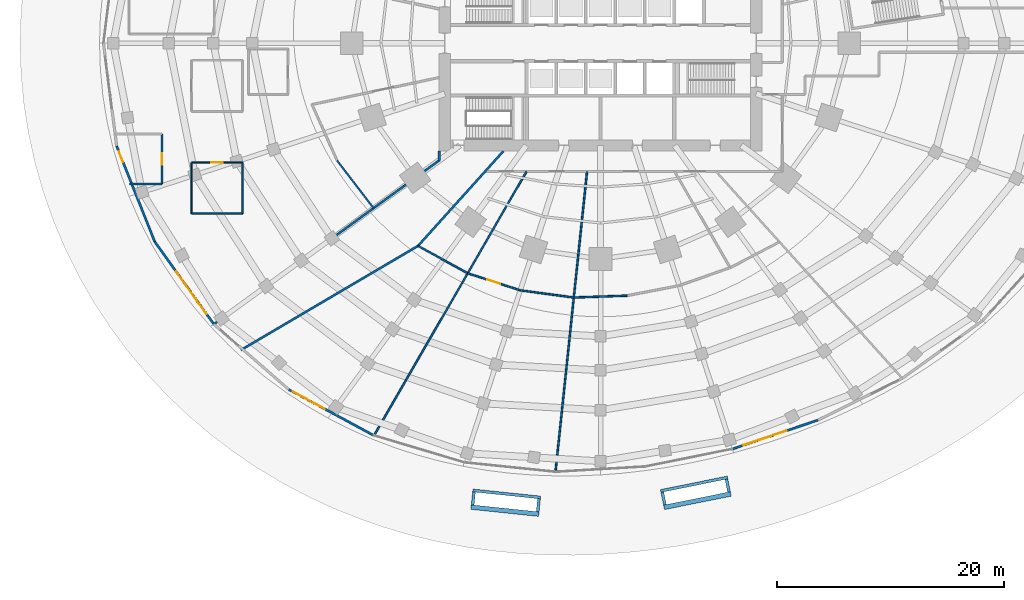
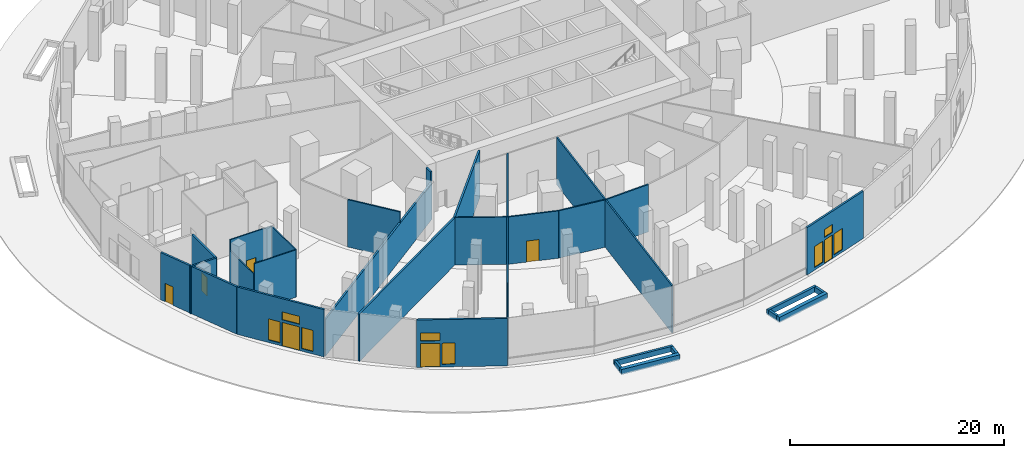
# One storey, part 14 of 23: 29 walls, 8 windows, 7 doors, 15 openings.
"""IFC4 building model written with IfcOpenShell, lengths in metres."""

from ifc_helpers import new_model, si_unit, direction, frame, frame_2d, origin, place, context, subcontext, project, spatial, rectangle, extrude, material, layer, layer_set, type_object, element, fill, save


model = new_model("IFC4")

# Units and contexts
model_context = context("Model", 3, precision=1e-05, world=origin(), true_north=direction((0.0, 1.0)))
body_context = subcontext(model_context, "Body", "Model", "MODEL_VIEW")
ifc_project = project(units=[si_unit("LENGTHUNIT", "METRE"), si_unit("AREAUNIT", "SQUARE_METRE"), si_unit("VOLUMEUNIT", "CUBIC_METRE"), si_unit("PLANEANGLEUNIT", "RADIAN"), si_unit("MASSUNIT", "GRAM", prefix="KILO")], contexts=[model_context])

# Site, building, storey
site_placement = place(None, origin())
site = spatial("IfcSite", under=ifc_project, at=site_placement, CompositionType="ELEMENT")
building_placement = place(site_placement, origin())
building = spatial("IfcBuilding", under=site, at=building_placement, Name="Marramba Exchange Tower", CompositionType="ELEMENT")
storey_placement = place(building_placement, origin())
storey = spatial("IfcBuildingStorey", under=building, at=storey_placement, Name="L00", CompositionType="ELEMENT", Elevation=0.0)

# Wall, opening, door
ifc_material_1 = material(Name="Aluminium-framed bronze cladding on steel studs", Category="steel")
ifc_layer_1 = layer(ifc_material_1, 0.199951171875)
ifc_layer_set_1 = layer_set([ifc_layer_1], Name="Door screen wall 200")
wall_type_1 = type_object("IfcWallType", Name="Door screen wall 200", PredefinedType="SOLIDWALL", material=ifc_layer_set_1)
wall_1_placement = place(storey_placement, frame((-42.59033203125, -9.052734375, 0.0), z_axis=(0.0, 0.0, 1.0), x_axis=(0.369754749145, -0.929129391143, 0.0)))
wall_1 = element("IfcWall", 1, at=wall_1_placement, inside=storey, type_object=wall_type_1, Name="Door screen L00 F17", PredefinedType="SOLIDWALL", context=body_context, shape_type="SweptSolid", body=[
    extrude(rectangle(XDim=9.060302734375, YDim=0.199951171875, at=frame_2d((4.5302734375, 0.0))), origin(), (0.0, 0.0, 1.0), 5.39990234375),
])
opening_1_placement = place(wall_1_placement, frame((0.500732421875, 0.0, 0.0)))
opening_1 = element("IfcOpeningElement", 2, at=opening_1_placement, cuts=wall_1, Name="Opening D20", PredefinedType="OPENING", context=body_context, shape_type="SweptSolid", body=[
    extrude(rectangle(XDim=1.0, YDim=2.10009765625, at=frame_2d((0.5, 1.050048828125))), frame((0.0, 0.10986328125, 0.0), z_axis=(0.0, -1.0, 0.0), x_axis=(1.0, 0.0, 0.0)), (0.0, 0.0, 1.0), 0.219970703125),
])
ifc_material_2 = material(Name="Steel-framed door", Category="steel")
door_type_1 = type_object("IfcDoorType", Name="Fire control room street door 1000x2100", OperationType="SINGLE_SWING_LEFT", PredefinedType="DOOR", material=ifc_material_2)
door_1_placement = place(opening_1_placement, frame((1.0, 0.0, 0.0), z_axis=(0.0, 0.0, 1.0), x_axis=(-1.0, 0.0, 0.0)))
door_1 = element("IfcDoor", 3, at=door_1_placement, inside=storey, type_object=door_type_1, Name="D20 L00", OperationType="SINGLE_SWING_RIGHT", OverallHeight=2.10009765625, OverallWidth=1.0, PredefinedType="DOOR", context=body_context, shape_type="SweptSolid", body=[
    extrude(rectangle(XDim=1.0, YDim=2.10009765625, at=frame_2d((0.5, 1.050048828125))), frame((0.0, 0.025146484375, 0.0), z_axis=(0.0, -1.0, 0.0), x_axis=(1.0, 0.0, 0.0)), (0.0, 0.0, 1.0), 0.050048828125),
])
fill(opening_1, door_1)

# Wall, openings, windows, door
wall_2_placement = place(storey_placement, frame((-39.240234375, -17.470947265625, 0.0), z_axis=(0.0, 0.0, 1.0), x_axis=(0.582334103946, -0.81294956263, 0.0)))
wall_2 = element("IfcWall", 4, at=wall_2_placement, inside=storey, type_object=wall_type_1, Name="Door screen L00 F18", PredefinedType="SOLIDWALL", context=body_context, shape_type="SweptSolid", body=[
    extrude(rectangle(XDim=8.9306640625, YDim=0.199951171875, at=frame_2d((4.46533203125, 0.0))), origin(), (0.0, 0.0, 1.0), 5.39990234375),
])
opening_2_placement = place(wall_2_placement, frame((4.62060546875, 0.0, 0.0)))
opening_2 = element("IfcOpeningElement", 5, at=opening_2_placement, cuts=wall_2, Name="Opening D7", PredefinedType="OPENING", context=body_context, shape_type="SweptSolid", body=[
    extrude(rectangle(XDim=1.800048828125, YDim=2.699951171875, at=frame_2d((0.89990234375, 1.35009765625))), frame((0.0, 0.10986328125, 0.0), z_axis=(0.0, -1.0, 0.0), x_axis=(1.0, 0.0, 0.0)), (0.0, 0.0, 1.0), 0.219970703125),
])
opening_3_placement = place(wall_2_placement, frame((3.220458984375, 0.0, 0.300048828125)))
opening_3 = element("IfcOpeningElement", 6, at=opening_3_placement, cuts=wall_2, Name="Opening W1", PredefinedType="OPENING", context=body_context, shape_type="SweptSolid", body=[
    extrude(rectangle(XDim=1.199951171875, YDim=2.39990234375, at=frame_2d((0.60009765625, 1.199951171875))), frame((0.0, 0.10986328125, 0.0), z_axis=(0.0, -1.0, 0.0), x_axis=(1.0, 0.0, 0.0)), (0.0, 0.0, 1.0), 0.219970703125),
])
opening_4_placement = place(wall_2_placement, frame((6.62060546875, 0.0, 0.300048828125)))
opening_4 = element("IfcOpeningElement", 7, at=opening_4_placement, cuts=wall_2, Name="Opening W1", PredefinedType="OPENING", context=body_context, shape_type="SweptSolid", body=[
    extrude(rectangle(XDim=1.199951171875, YDim=2.39990234375, at=frame_2d((0.60009765625, 1.199951171875))), frame((0.0, 0.10986328125, 0.0), z_axis=(0.0, -1.0, 0.0), x_axis=(1.0, 0.0, 0.0)), (0.0, 0.0, 1.0), 0.219970703125),
])
opening_5_placement = place(wall_2_placement, frame((4.62060546875, 0.0, 3.0)))
opening_5 = element("IfcOpeningElement", 8, at=opening_5_placement, cuts=wall_2, Name="Opening W2", PredefinedType="OPENING", context=body_context, shape_type="SweptSolid", body=[
    extrude(rectangle(XDim=1.800048828125, YDim=0.89990234375, at=frame_2d((0.89990234375, 0.449951171875))), frame((0.0, 0.10986328125, 0.0), z_axis=(0.0, -1.0, 0.0), x_axis=(1.0, 0.0, 0.0)), (0.0, 0.0, 1.0), 0.219970703125),
])
ifc_material_3 = material(Name="Aluminium-framed fixed light, bronze, double glazed", Category="aluminium")
window_type_1 = type_object("IfcWindowType", Name="Entrance sidelight 1200x2400", PartitioningType="SINGLE_PANEL", PredefinedType="WINDOW", material=ifc_material_3)
window_1_placement = place(opening_3_placement, origin())
window_1 = element("IfcWindow", 9, at=window_1_placement, inside=storey, type_object=window_type_1, Name="W1 L00 F18 left", OverallHeight=2.39990234375, OverallWidth=1.199951171875, PartitioningType="SINGLE_PANEL", PredefinedType="WINDOW", context=body_context, shape_type="SweptSolid", body=[
    extrude(rectangle(XDim=1.199951171875, YDim=2.39990234375, at=frame_2d((0.60009765625, 1.199951171875))), frame((0.0, 0.030029296875, 0.0), z_axis=(0.0, -1.0, 0.0), x_axis=(1.0, 0.0, 0.0)), (0.0, 0.0, 1.0), 0.06005859375),
])
fill(opening_3, window_1)
window_2_placement = place(opening_4_placement, origin())
window_2 = element("IfcWindow", 10, at=window_2_placement, inside=storey, type_object=window_type_1, Name="W1 L00 F18 right", OverallHeight=2.39990234375, OverallWidth=1.199951171875, PartitioningType="SINGLE_PANEL", PredefinedType="WINDOW", context=body_context, shape_type="SweptSolid", body=[
    extrude(rectangle(XDim=1.199951171875, YDim=2.39990234375, at=frame_2d((0.60009765625, 1.199951171875))), frame((0.0, 0.030029296875, 0.0), z_axis=(0.0, -1.0, 0.0), x_axis=(1.0, 0.0, 0.0)), (0.0, 0.0, 1.0), 0.06005859375),
])
fill(opening_4, window_2)
window_type_2 = type_object("IfcWindowType", Name="Entrance transom light 1800x900", PartitioningType="SINGLE_PANEL", PredefinedType="WINDOW", material=ifc_material_3)
window_3_placement = place(opening_5_placement, origin())
window_3 = element("IfcWindow", 11, at=window_3_placement, inside=storey, type_object=window_type_2, Name="W2 L00 F18 over the door", OverallHeight=0.89990234375, OverallWidth=1.800048828125, PartitioningType="SINGLE_PANEL", PredefinedType="WINDOW", context=body_context, shape_type="SweptSolid", body=[
    extrude(rectangle(XDim=1.800048828125, YDim=0.89990234375, at=frame_2d((0.89990234375, 0.449951171875))), frame((0.0, 0.030029296875, 0.0), z_axis=(0.0, -1.0, 0.0), x_axis=(1.0, 0.0, 0.0)), (0.0, 0.0, 1.0), 0.06005859375),
])
fill(opening_5, window_3)
ifc_material_4 = material(Name="Aluminium-framed glazed door, bronze", Category="aluminium")
door_type_2 = type_object("IfcDoorType", Name="Main entrance door 1800x2700", OperationType="DOUBLE_DOOR_SINGLE_SWING", PredefinedType="DOOR", material=ifc_material_4)
door_2_placement = place(opening_2_placement, frame((1.800048828125, 0.0, 0.0), z_axis=(0.0, 0.0, 1.0), x_axis=(-1.0, 0.0, 0.0)))
door_2 = element("IfcDoor", 12, at=door_2_placement, inside=storey, type_object=door_type_2, Name="D7 L00", OperationType="DOUBLE_DOOR_SINGLE_SWING", OverallHeight=2.699951171875, OverallWidth=1.800048828125, PredefinedType="DOOR", context=body_context, shape_type="SweptSolid", body=[
    extrude(rectangle(XDim=1.800048828125, YDim=2.699951171875, at=frame_2d((0.900146484375, 1.35009765625))), frame((0.0, 0.025146484375, 0.0), z_axis=(0.0, -1.0, 0.0), x_axis=(1.0, 0.0, 0.0)), (0.0, 0.0, 1.0), 0.050048828125),
])
fill(opening_2, door_2)

wall_3_placement = place(storey_placement, frame((-27.443115234375, -30.478515625, 0.0), z_axis=(0.0, 0.0, 1.0), x_axis=(0.879579965321, -0.475751074204, 0.0)))
wall_3 = element("IfcWall", 13, at=wall_3_placement, inside=storey, type_object=wall_type_1, Name="Door screen L00 F20", PredefinedType="SOLIDWALL", context=body_context, shape_type="SweptSolid", body=[
    extrude(rectangle(XDim=8.530517578125, YDim=0.199951171875, at=frame_2d((4.26513671875, 0.0))), origin(), (0.0, 0.0, 1.0), 5.39990234375),
])
opening_6_placement = place(wall_3_placement, frame((0.39990234375, 0.0, 0.0)))
opening_6 = element("IfcOpeningElement", 14, at=opening_6_placement, cuts=wall_3, Name="Opening D7", PredefinedType="OPENING", context=body_context, shape_type="SweptSolid", body=[
    extrude(rectangle(XDim=1.800048828125, YDim=2.699951171875, at=frame_2d((0.89990234375, 1.35009765625))), frame((0.0, 0.10986328125, 0.0), z_axis=(0.0, -1.0, 0.0), x_axis=(1.0, 0.0, 0.0)), (0.0, 0.0, 1.0), 0.219970703125),
])
opening_7_placement = place(wall_3_placement, frame((2.39990234375, 0.0, 0.300048828125)))
opening_7 = element("IfcOpeningElement", 15, at=opening_7_placement, cuts=wall_3, Name="Opening W1", PredefinedType="OPENING", context=body_context, shape_type="SweptSolid", body=[
    extrude(rectangle(XDim=1.199951171875, YDim=2.39990234375, at=frame_2d((0.60009765625, 1.199951171875))), frame((0.0, 0.10986328125, 0.0), z_axis=(0.0, -1.0, 0.0), x_axis=(1.0, 0.0, 0.0)), (0.0, 0.0, 1.0), 0.219970703125),
])
opening_8_placement = place(wall_3_placement, frame((0.39990234375, 0.0, 3.0)))
opening_8 = element("IfcOpeningElement", 16, at=opening_8_placement, cuts=wall_3, Name="Opening W2", PredefinedType="OPENING", context=body_context, shape_type="SweptSolid", body=[
    extrude(rectangle(XDim=1.800048828125, YDim=0.89990234375, at=frame_2d((0.89990234375, 0.449951171875))), frame((0.0, 0.10986328125, 0.0), z_axis=(0.0, -1.0, 0.0), x_axis=(1.0, 0.0, 0.0)), (0.0, 0.0, 1.0), 0.219970703125),
])
window_4_placement = place(opening_7_placement, origin())
window_4 = element("IfcWindow", 17, at=window_4_placement, inside=storey, type_object=window_type_1, Name="W1 L00 F20 right", OverallHeight=2.39990234375, OverallWidth=1.199951171875, PartitioningType="SINGLE_PANEL", PredefinedType="WINDOW", context=body_context, shape_type="SweptSolid", body=[
    extrude(rectangle(XDim=1.199951171875, YDim=2.39990234375, at=frame_2d((0.60009765625, 1.199951171875))), frame((0.0, 0.030029296875, 0.0), z_axis=(0.0, -1.0, 0.0), x_axis=(1.0, 0.0, 0.0)), (0.0, 0.0, 1.0), 0.06005859375),
])
fill(opening_7, window_4)
window_5_placement = place(opening_8_placement, origin())
window_5 = element("IfcWindow", 18, at=window_5_placement, inside=storey, type_object=window_type_2, Name="W2 L00 F20 over the door", OverallHeight=0.89990234375, OverallWidth=1.800048828125, PartitioningType="SINGLE_PANEL", PredefinedType="WINDOW", context=body_context, shape_type="SweptSolid", body=[
    extrude(rectangle(XDim=1.800048828125, YDim=0.89990234375, at=frame_2d((0.89990234375, 0.449951171875))), frame((0.0, 0.030029296875, 0.0), z_axis=(0.0, -1.0, 0.0), x_axis=(1.0, 0.0, 0.0)), (0.0, 0.0, 1.0), 0.06005859375),
])
fill(opening_8, window_5)
door_3_placement = place(opening_6_placement, frame((1.800048828125, 0.0, 0.0), z_axis=(0.0, 0.0, 1.0), x_axis=(-1.0, 0.0, 0.0)))
door_3 = element("IfcDoor", 19, at=door_3_placement, inside=storey, type_object=door_type_2, Name="D7 L00", OperationType="DOUBLE_DOOR_SINGLE_SWING", OverallHeight=2.699951171875, OverallWidth=1.800048828125, PredefinedType="DOOR", context=body_context, shape_type="SweptSolid", body=[
    extrude(rectangle(XDim=1.800048828125, YDim=2.699951171875, at=frame_2d((0.900146484375, 1.35009765625))), frame((0.0, 0.025146484375, 0.0), z_axis=(0.0, -1.0, 0.0), x_axis=(1.0, 0.0, 0.0)), (0.0, 0.0, 1.0), 0.050048828125),
])
fill(opening_6, door_3)

wall_4_placement = place(storey_placement, frame((11.60595703125, -35.7197265625, 0.0), z_axis=(0.0, 0.0, 1.0), x_axis=(0.947384832905, 0.320096826572, 0.0)))
wall_4 = element("IfcWall", 20, at=wall_4_placement, inside=storey, type_object=wall_type_1, Name="Door screen L00 F25", PredefinedType="SOLIDWALL", context=body_context, shape_type="SweptSolid", body=[
    extrude(rectangle(XDim=7.964111328125, YDim=0.199951171875, at=frame_2d((3.98193359375, 0.0))), origin(), (0.0, 0.0, 1.0), 5.39990234375),
])
opening_9_placement = place(wall_4_placement, frame((2.421630859375, 0.0, 0.0)))
opening_9 = element("IfcOpeningElement", 21, at=opening_9_placement, cuts=wall_4, Name="Opening D10", PredefinedType="OPENING", context=body_context, shape_type="SweptSolid", body=[
    extrude(rectangle(XDim=1.199951171875, YDim=2.699951171875, at=frame_2d((0.60009765625, 1.35009765625))), frame((0.0, 0.10986328125, 0.0), z_axis=(0.0, -1.0, 0.0), x_axis=(1.0, 0.0, 0.0)), (0.0, 0.0, 1.0), 0.219970703125),
])
opening_10_placement = place(wall_4_placement, frame((1.021728515625, 0.0, 0.300048828125)))
opening_10 = element("IfcOpeningElement", 22, at=opening_10_placement, cuts=wall_4, Name="Opening W1", PredefinedType="OPENING", context=body_context, shape_type="SweptSolid", body=[
    extrude(rectangle(XDim=1.199951171875, YDim=2.39990234375, at=frame_2d((0.60009765625, 1.199951171875))), frame((0.0, 0.10986328125, 0.0), z_axis=(0.0, -1.0, 0.0), x_axis=(1.0, 0.0, 0.0)), (0.0, 0.0, 1.0), 0.219970703125),
])
opening_11_placement = place(wall_4_placement, frame((3.82177734375, 0.0, 0.300048828125)))
opening_11 = element("IfcOpeningElement", 23, at=opening_11_placement, cuts=wall_4, Name="Opening W1", PredefinedType="OPENING", context=body_context, shape_type="SweptSolid", body=[
    extrude(rectangle(XDim=1.199951171875, YDim=2.39990234375, at=frame_2d((0.60009765625, 1.199951171875))), frame((0.0, 0.10986328125, 0.0), z_axis=(0.0, -1.0, 0.0), x_axis=(1.0, 0.0, 0.0)), (0.0, 0.0, 1.0), 0.219970703125),
])
opening_12_placement = place(wall_4_placement, frame((2.421630859375, 0.0, 3.0)))
opening_12 = element("IfcOpeningElement", 24, at=opening_12_placement, cuts=wall_4, Name="Opening W3", PredefinedType="OPENING", context=body_context, shape_type="SweptSolid", body=[
    extrude(rectangle(XDim=1.199951171875, YDim=0.89990234375, at=frame_2d((0.60009765625, 0.449951171875))), frame((0.0, 0.10986328125, 0.0), z_axis=(0.0, -1.0, 0.0), x_axis=(1.0, 0.0, 0.0)), (0.0, 0.0, 1.0), 0.219970703125),
])
window_6_placement = place(opening_10_placement, origin())
window_6 = element("IfcWindow", 25, at=window_6_placement, inside=storey, type_object=window_type_1, Name="W1 L00 F25 left", OverallHeight=2.39990234375, OverallWidth=1.199951171875, PartitioningType="SINGLE_PANEL", PredefinedType="WINDOW", context=body_context, shape_type="SweptSolid", body=[
    extrude(rectangle(XDim=1.199951171875, YDim=2.39990234375, at=frame_2d((0.60009765625, 1.199951171875))), frame((0.0, 0.030029296875, 0.0), z_axis=(0.0, -1.0, 0.0), x_axis=(1.0, 0.0, 0.0)), (0.0, 0.0, 1.0), 0.06005859375),
])
fill(opening_10, window_6)
window_7_placement = place(opening_11_placement, origin())
window_7 = element("IfcWindow", 26, at=window_7_placement, inside=storey, type_object=window_type_1, Name="W1 L00 F25 right", OverallHeight=2.39990234375, OverallWidth=1.199951171875, PartitioningType="SINGLE_PANEL", PredefinedType="WINDOW", context=body_context, shape_type="SweptSolid", body=[
    extrude(rectangle(XDim=1.199951171875, YDim=2.39990234375, at=frame_2d((0.60009765625, 1.199951171875))), frame((0.0, 0.030029296875, 0.0), z_axis=(0.0, -1.0, 0.0), x_axis=(1.0, 0.0, 0.0)), (0.0, 0.0, 1.0), 0.06005859375),
])
fill(opening_11, window_7)
door_type_3 = type_object("IfcDoorType", Name="Gallery entrance door 1200x2700", OperationType="SINGLE_SWING_LEFT", PredefinedType="DOOR", material=ifc_material_4)
door_4_placement = place(opening_9_placement, frame((1.199951171875, 0.0, 0.0), z_axis=(0.0, 0.0, 1.0), x_axis=(-1.0, 0.0, 0.0)))
door_4 = element("IfcDoor", 27, at=door_4_placement, inside=storey, type_object=door_type_3, Name="D10 L00", OperationType="SINGLE_SWING_RIGHT", OverallHeight=2.699951171875, OverallWidth=1.199951171875, PredefinedType="DOOR", context=body_context, shape_type="SweptSolid", body=[
    extrude(rectangle(XDim=1.199951171875, YDim=2.699951171875, at=frame_2d((0.599853515625, 1.35009765625))), frame((0.0, 0.025146484375, 0.0), z_axis=(0.0, -1.0, 0.0), x_axis=(1.0, 0.0, 0.0)), (0.0, 0.0, 1.0), 0.050048828125),
])
fill(opening_9, door_4)
window_type_3 = type_object("IfcWindowType", Name="Gallery transom light 1200x900", PartitioningType="SINGLE_PANEL", PredefinedType="WINDOW", material=ifc_material_3)
window_8_placement = place(opening_12_placement, origin())
window_8 = element("IfcWindow", 28, at=window_8_placement, inside=storey, type_object=window_type_3, Name="W3 L00 F25 over the door", OverallHeight=0.89990234375, OverallWidth=1.199951171875, PartitioningType="SINGLE_PANEL", PredefinedType="WINDOW", context=body_context, shape_type="SweptSolid", body=[
    extrude(rectangle(XDim=1.199951171875, YDim=0.89990234375, at=frame_2d((0.60009765625, 0.449951171875))), frame((0.0, 0.030029296875, 0.0), z_axis=(0.0, -1.0, 0.0), x_axis=(1.0, 0.0, 0.0)), (0.0, 0.0, 1.0), 0.06005859375),
])
fill(opening_12, window_8)

# Wall, opening, door
ifc_material_5 = material(Name="Core-filled concrete blockwork, rendered", Category="masonry")
ifc_layer_2 = layer(ifc_material_5, 0.18994140625)
ifc_layer_set_2 = layer_set([ifc_layer_2], Name="Equipment room wall 190")
wall_type_2 = type_object("IfcWallType", Name="Equipment room wall 190", PredefinedType="SOLIDWALL", material=ifc_layer_set_2)
wall_5_placement = place(storey_placement, frame((-38.60009765625, -12.39990234375, 0.0), z_axis=(0.0, 0.0, 1.0), x_axis=(0.0, 1.0, 0.0)))
wall_5 = element("IfcWall", 29, at=wall_5_placement, inside=storey, type_object=wall_type_2, Name="Fire control room wall L00 11", PredefinedType="SOLIDWALL", context=body_context, shape_type="SweptSolid", body=[
    extrude(rectangle(XDim=4.39990234375, YDim=0.18994140625, at=frame_2d((2.199951171875, 0.0))), origin(), (0.0, 0.0, 1.0), 5.39990234375),
])
opening_13_placement = place(wall_5_placement, frame((1.699951171875, 0.0, 0.0)))
opening_13 = element("IfcOpeningElement", 30, at=opening_13_placement, cuts=wall_5, Name="Opening D19", PredefinedType="OPENING", context=body_context, shape_type="SweptSolid", body=[
    extrude(rectangle(XDim=1.0, YDim=2.10009765625, at=frame_2d((0.5, 1.050048828125))), frame((0.0, 0.10498046875, 0.0), z_axis=(0.0, -1.0, 0.0), x_axis=(1.0, 0.0, 0.0)), (0.0, 0.0, 1.0), 0.2099609375),
])
door_type_4 = type_object("IfcDoorType", Name="Fire control room door 1000x2100", OperationType="SINGLE_SWING_LEFT", PredefinedType="DOOR", material=ifc_material_2)
door_5_placement = place(opening_13_placement, origin())
door_5 = element("IfcDoor", 31, at=door_5_placement, inside=storey, type_object=door_type_4, Name="D19 Fire Control Room L00", OperationType="SINGLE_SWING_RIGHT", OverallHeight=2.10009765625, OverallWidth=1.0, PredefinedType="DOOR", context=body_context, shape_type="SweptSolid", body=[
    extrude(rectangle(XDim=1.0, YDim=2.10009765625, at=frame_2d((0.5, 1.050048828125))), frame((0.0, 0.02490234375, 0.0), z_axis=(0.0, -1.0, 0.0), x_axis=(1.0, 0.0, 0.0)), (0.0, 0.0, 1.0), 0.050048828125),
])
fill(opening_13, door_5)

# Walls
wall_6_placement = place(storey_placement, frame((-41.441650390625, -12.39990234375, 0.0), z_axis=(0.0, 0.0, 1.0), x_axis=(1.0, 0.0, 0.0)))
element("IfcWall", 32, at=wall_6_placement, inside=storey, type_object=wall_type_2, Name="Fire control room wall L00 12", PredefinedType="SOLIDWALL", context=body_context, shape_type="SweptSolid", body=[
    extrude(rectangle(XDim=2.841552734375, YDim=0.18994140625, at=frame_2d((1.4208984375, 0.0))), origin(), (0.0, 0.0, 1.0), 5.39990234375),
])
wall_7_placement = place(storey_placement, frame((-14.2001953125, -9.5, 0.0), z_axis=(0.0, 0.0, 1.0), x_axis=(0.0, -1.0, 0.0)))
element("IfcWall", 33, at=wall_7_placement, inside=storey, type_object=wall_type_2, Name="Fire control room wall L00 19", PredefinedType="SOLIDWALL", context=body_context, shape_type="SweptSolid", body=[
    extrude(rectangle(XDim=0.81689453125, YDim=0.18994140625, at=frame_2d((0.408447265625, 0.0))), origin(), (0.0, 0.0, 1.0), 5.39990234375),
])
wall_8_placement = place(storey_placement, frame((-14.2001953125, -10.31689453125, 0.0), z_axis=(0.0, 0.0, 1.0), x_axis=(-0.809015878867, -0.587786787654, 0.0)))
element("IfcWall", 34, at=wall_8_placement, inside=storey, type_object=wall_type_2, Name="Fire control room wall L00 20", PredefinedType="SOLIDWALL", context=body_context, shape_type="SweptSolid", body=[
    extrude(rectangle(XDim=24.44287109375, YDim=0.18994140625, at=frame_2d((12.221435546875, 0.0))), origin(), (0.0, 0.0, 1.0), 4.199951171875),
])
wall_9_placement = place(storey_placement, frame((-31.64453125, -27.001953125, 0.0), z_axis=(0.0, 0.0, 1.0), x_axis=(0.862003297089, 0.506902668969, 0.0)))
element("IfcWall", 35, at=wall_9_placement, inside=storey, type_object=wall_type_2, Name="Fire control room wall L00 21", PredefinedType="SOLIDWALL", context=body_context, shape_type="SweptSolid", body=[
    extrude(rectangle(XDim=18.0771484375, YDim=0.18994140625, at=frame_2d((9.03857421875, 0.0))), origin(), (0.0, 0.0, 1.0), 5.39990234375),
])
wall_10_placement = place(storey_placement, frame((-16.06201171875, -17.838623046875, 0.0), z_axis=(0.0, 0.0, 1.0), x_axis=(0.669139015952, 0.74313725336, 0.0)))
element("IfcWall", 36, at=wall_10_placement, inside=storey, type_object=wall_type_2, Name="Fire control room wall L00 22", PredefinedType="SOLIDWALL", context=body_context, shape_type="SweptSolid", body=[
    extrude(rectangle(XDim=11.220947265625, YDim=0.18994140625, at=frame_2d((5.6103515625, 0.0))), origin(), (0.0, 0.0, 1.0), 5.39990234375),
])

# Wall, opening, door
ifc_material_6 = material(Name="Plasterboard on steel studs", Category="steel")
ifc_layer_3 = layer(ifc_material_6, 0.1201171875)
ifc_layer_set_3 = layer_set([ifc_layer_3], Name="Partition 120")
wall_type_3 = type_object("IfcWallType", Name="Partition 120", PredefinedType="PARTITIONING", material=ifc_layer_set_3)
wall_11_placement = place(storey_placement, frame((-36.0, -10.5, 0.0), z_axis=(0.0, 0.0, 1.0), x_axis=(1.0, 0.0, 0.0)))
wall_11 = element("IfcWall", 37, at=wall_11_placement, inside=storey, type_object=wall_type_3, Name="Partition L00 13", PredefinedType="PARTITIONING", context=body_context, shape_type="SweptSolid", body=[
    extrude(rectangle(XDim=4.5, YDim=0.1201171875, at=frame_2d((2.25, 0.0))), origin(), (0.0, 0.0, 1.0), 5.39990234375),
])
opening_14_placement = place(wall_11_placement, frame((1.75, 0.0, 0.0)))
opening_14 = element("IfcOpeningElement", 38, at=opening_14_placement, cuts=wall_11, Name="Opening D9", PredefinedType="OPENING", context=body_context, shape_type="SweptSolid", body=[
    extrude(rectangle(XDim=1.0, YDim=2.39990234375, at=frame_2d((0.5, 1.199951171875))), frame((0.0, 0.070068359375, 0.0), z_axis=(0.0, -1.0, 0.0), x_axis=(1.0, 0.0, 0.0)), (0.0, 0.0, 1.0), 0.14013671875),
])
ifc_material_7 = material(Name="Timber door", Category="wood")
door_type_5 = type_object("IfcDoorType", Name="Room door 1000x2400", OperationType="SINGLE_SWING_LEFT", PredefinedType="DOOR", material=ifc_material_7)
door_6_placement = place(opening_14_placement, frame((1.0, 0.0, 0.0), z_axis=(0.0, 0.0, 1.0), x_axis=(-1.0, 0.0, 0.0)))
door_6 = element("IfcDoor", 39, at=door_6_placement, inside=storey, type_object=door_type_5, Name="D9 Visitor Reception L00", OperationType="SINGLE_SWING_RIGHT", OverallHeight=2.39990234375, OverallWidth=1.0, PredefinedType="DOOR", context=body_context, shape_type="SweptSolid", body=[
    extrude(rectangle(XDim=1.0, YDim=2.39990234375, at=frame_2d((0.5, 1.199951171875))), frame((0.0, 0.025146484375, 0.0), z_axis=(0.0, -1.0, 0.0), x_axis=(1.0, 0.0, 0.0)), (0.0, 0.0, 1.0), 0.050048828125),
])
fill(opening_14, door_6)

# Walls
wall_12_placement = place(storey_placement, frame((-36.0, -15.0, 0.0), z_axis=(0.0, 0.0, 1.0), x_axis=(0.0, 1.0, 0.0)))
element("IfcWall", 40, at=wall_12_placement, inside=storey, type_object=wall_type_3, Name="Partition L00 15", PredefinedType="PARTITIONING", context=body_context, shape_type="SweptSolid", body=[
    extrude(rectangle(XDim=4.5, YDim=0.1201171875, at=frame_2d((2.25, 0.0))), origin(), (0.0, 0.0, 1.0), 4.199951171875),
])
for number, where, z_axis, x_axis, name in (
    (41, (-31.5, -10.5, 0.0), (0.0, 0.0, 1.0), (0.0, -1.0, 0.0), "Partition L00 16"),
    (42, (-31.5, -15.0, 0.0), (0.0, 0.0, 1.0), (-1.0, 0.0, 0.0), "Partition L00 17"),
):
    element("IfcWall", number, at=place(storey_placement, frame(where, z_axis=z_axis, x_axis=x_axis)), inside=storey, type_object=wall_type_3, Name=name, PredefinedType="PARTITIONING", context=body_context, shape_type="SweptSolid", body=[
        extrude(rectangle(XDim=4.5, YDim=0.1201171875, at=frame_2d((2.25, 0.0))), origin(), (0.0, 0.0, 1.0), 5.39990234375),
    ])
ifc_material_8 = material(Name="Concrete N32 with spotted gum batten seat", Category="concrete")
ifc_layer_4 = layer(ifc_material_8, 0.39990234375)
ifc_layer_set_4 = layer_set([ifc_layer_4], Name="Planter seat wall 400")
wall_type_4 = type_object("IfcWallType", Name="Planter seat wall 400", PredefinedType="SOLIDWALL", material=ifc_layer_set_4)
for number, where, z_axis, x_axis, name in (
    (43, (-11.39892578125, -40.830810546875, -0.14990234375), (0.0, 0.0, 1.0), (0.994577011199, -0.104002734551, 0.0), "Planter P4 street side wall"),
    (44, (5.5849609375, -40.85888671875, -0.14990234375), (0.0, 0.0, 1.0), (0.980275886546, 0.197633970402, 0.0), "Planter P5 street side wall"),
):
    element("IfcWall", number, at=place(storey_placement, frame(where, z_axis=z_axis, x_axis=x_axis)), inside=storey, type_object=wall_type_4, Name=name, PredefinedType="SOLIDWALL", context=body_context, shape_type="SweptSolid", body=[
        extrude(rectangle(XDim=6.0, YDim=0.39990234375, at=frame_2d((3.0, 0.0))), origin(), (0.0, 0.0, 1.0), 0.599853515625),
    ])
ifc_material_9 = material(Name="Concrete N32, off-form, bronze capping", Category="concrete")
ifc_layer_5 = layer(ifc_material_9, 0.25)
ifc_layer_set_5 = layer_set([ifc_layer_5], Name="Planter wall 250")
wall_type_5 = type_object("IfcWallType", Name="Planter wall 250", PredefinedType="SOLIDWALL", material=ifc_layer_set_5)
wall_13_placement = place(storey_placement, frame((-11.24560546875, -39.364013671875, -0.14990234375), z_axis=(0.0, 0.0, 1.0), x_axis=(0.994581219288, -0.103962484772, 0.0)))
element("IfcWall", 45, at=wall_13_placement, inside=storey, type_object=wall_type_5, Name="Planter P4 facade side wall", PredefinedType="SOLIDWALL", context=body_context, shape_type="SweptSolid", body=[
    extrude(rectangle(XDim=6.0, YDim=0.25, at=frame_2d((3.0, 0.0))), origin(), (0.0, 0.0, 1.0), 0.599853515625),
])
for number, where, z_axis, x_axis, name in (
    (46, (-11.13427734375, -39.501220703125, -0.14990234375), (0.0, 0.0, 1.0), (-0.104021720929, -0.994575025614, 0.0), "Planter P4 end wall"),
    (47, (-5.415283203125, -40.09912109375, -0.14990234375), (0.0, 0.0, 1.0), (-0.104021720929, -0.994575025614, 0.0), "Planter P4 end wall"),
):
    element("IfcWall", number, at=place(storey_placement, frame(where, z_axis=z_axis, x_axis=x_axis)), inside=storey, type_object=wall_type_5, Name=name, PredefinedType="SOLIDWALL", context=body_context, shape_type="SweptSolid", body=[
        extrude(rectangle(XDim=1.150146484375, YDim=0.25, at=frame_2d((0.5751953125, 0.0))), origin(), (0.0, 0.0, 1.0), 0.599853515625),
    ])
wall_14_placement = place(storey_placement, frame((5.29345703125, -39.412841796875, -0.14990234375), z_axis=(0.0, 0.0, 1.0), x_axis=(0.980275886546, 0.197633970402, 0.0)))
element("IfcWall", 48, at=wall_14_placement, inside=storey, type_object=wall_type_5, Name="Planter P5 facade side wall", PredefinedType="SOLIDWALL", context=body_context, shape_type="SweptSolid", body=[
    extrude(rectangle(XDim=6.0, YDim=0.25, at=frame_2d((3.0, 0.0))), origin(), (0.0, 0.0, 1.0), 0.599853515625),
])
wall_15_placement = place(storey_placement, frame((5.440673828125, -39.5107421875, -0.14990234375), z_axis=(0.0, 0.0, 1.0), x_axis=(0.197626307632, -0.98027743141, 0.0)))
element("IfcWall", 49, at=wall_15_placement, inside=storey, type_object=wall_type_5, Name="Planter P5 end wall", PredefinedType="SOLIDWALL", context=body_context, shape_type="SweptSolid", body=[
    extrude(rectangle(XDim=1.150146484375, YDim=0.25, at=frame_2d((0.5751953125, 0.0))), origin(), (0.0, 0.0, 1.0), 0.599853515625),
])
wall_16_placement = place(storey_placement, frame((11.0771484375, -38.37451171875, -0.14990234375), z_axis=(0.0, 0.0, 1.0), x_axis=(0.1976674394, -0.980269138248, 0.0)))
element("IfcWall", 50, at=wall_16_placement, inside=storey, type_object=wall_type_5, Name="Planter P5 end wall", PredefinedType="SOLIDWALL", context=body_context, shape_type="SweptSolid", body=[
    extrude(rectangle(XDim=1.14990234375, YDim=0.25, at=frame_2d((0.574951171875, 0.0))), origin(), (0.0, 0.0, 1.0), 0.599853515625),
])
ifc_material_10 = material(Name="Fire-rated plasterboard on steel studs, acoustic insulation", Category="steel")
ifc_layer_6 = layer(ifc_material_10, 0.14990234375)
ifc_layer_set_6 = layer_set([ifc_layer_6], Name="Tenancy wall 150")
wall_type_6 = type_object("IfcWallType", Name="Tenancy wall 150", PredefinedType="PARTITIONING", material=ifc_layer_set_6)
wall_17_placement = place(storey_placement, frame((-23.19287109375, -10.326171875, 0.0), z_axis=(0.0, 0.0, 1.0), x_axis=(0.608481047622, -0.793568405801, 0.0)))
element("IfcWall", 51, at=wall_17_placement, inside=storey, type_object=wall_type_6, Name="Tenancy wall L00 18", PredefinedType="PARTITIONING", context=body_context, shape_type="SweptSolid", body=[
    extrude(rectangle(XDim=5.2802734375, YDim=0.14990234375, at=frame_2d((2.64013671875, 0.0))), origin(), (0.0, 0.0, 1.0), 5.39990234375),
])
wall_18_placement = place(storey_placement, frame((-16.06201171875, -17.838623046875, 0.0), z_axis=(0.0, 0.0, 1.0), x_axis=(0.875641162684, -0.482962269968, 0.0)))
element("IfcWall", 52, at=wall_18_placement, inside=storey, type_object=wall_type_6, Name="Tenancy wall L00 23", PredefinedType="PARTITIONING", context=body_context, shape_type="SweptSolid", body=[
    extrude(rectangle(XDim=4.991943359375, YDim=0.14990234375, at=frame_2d((2.49609375, 0.0))), origin(), (0.0, 0.0, 1.0), 5.39990234375),
])
wall_19_placement = place(storey_placement, frame((-6.524169921875, -11.300048828125, 0.0), z_axis=(0.0, 0.0, 1.0), x_axis=(-0.499999476762, -0.866025705876, 0.0)))
element("IfcWall", 53, at=wall_19_placement, inside=storey, type_object=wall_type_6, Name="Tenancy wall L00 24", PredefinedType="PARTITIONING", context=body_context, shape_type="SweptSolid", body=[
    extrude(rectangle(XDim=26.75146484375, YDim=0.14990234375, at=frame_2d((13.375732421875, 0.0))), origin(), (0.0, 0.0, 1.0), 5.39990234375),
])

# Wall, opening, door
wall_20_placement = place(storey_placement, frame((-11.69091796875, -20.24951171875, 0.0), z_axis=(0.0, 0.0, 1.0), x_axis=(0.951027056342, -0.309107648085, 0.0)))
wall_20 = element("IfcWall", 54, at=wall_20_placement, inside=storey, type_object=wall_type_6, Name="Tenancy wall L00 25", PredefinedType="PARTITIONING", context=body_context, shape_type="SweptSolid", body=[
    extrude(rectangle(XDim=4.861328125, YDim=0.14990234375, at=frame_2d((2.4306640625, 0.0))), origin(), (0.0, 0.0, 1.0), 5.39990234375),
])
opening_15_placement = place(wall_20_placement, frame((1.805908203125, 0.0, 0.0)))
opening_15 = element("IfcOpeningElement", 55, at=opening_15_placement, cuts=wall_20, Name="Opening D13", PredefinedType="OPENING", context=body_context, shape_type="SweptSolid", body=[
    extrude(rectangle(XDim=1.199951171875, YDim=2.39990234375, at=frame_2d((0.60009765625, 1.199951171875))), frame((0.0, 0.0849609375, 0.0), z_axis=(0.0, -1.0, 0.0), x_axis=(1.0, 0.0, 0.0)), (0.0, 0.0, 1.0), 0.169921875),
])
door_type_6 = type_object("IfcDoorType", Name="Tenancy entry door 1200x2400", OperationType="SINGLE_SWING_LEFT", PredefinedType="DOOR", material=ifc_material_2)
door_7_placement = place(opening_15_placement, origin())
door_7 = element("IfcDoor", 56, at=door_7_placement, inside=storey, type_object=door_type_6, Name="D13 Press Office L00", OperationType="SINGLE_SWING_LEFT", OverallHeight=2.39990234375, OverallWidth=1.199951171875, PredefinedType="DOOR", context=body_context, shape_type="SweptSolid", body=[
    extrude(rectangle(XDim=1.199951171875, YDim=2.39990234375, at=frame_2d((0.60009765625, 1.199951171875))), frame((0.0, 0.02490234375, 0.0), z_axis=(0.0, -1.0, 0.0), x_axis=(1.0, 0.0, 0.0)), (0.0, 0.0, 1.0), 0.050048828125),
])
fill(opening_15, door_7)

# Walls
wall_21_placement = place(storey_placement, frame((-7.067626953125, -21.752197265625, 0.0), z_axis=(0.0, 0.0, 1.0), x_axis=(0.991085698144, -0.133225894386, 0.0)))
element("IfcWall", 57, at=wall_21_placement, inside=storey, type_object=wall_type_6, Name="Tenancy wall L00 26", PredefinedType="PARTITIONING", context=body_context, shape_type="SweptSolid", body=[
    extrude(rectangle(XDim=4.75732421875, YDim=0.14990234375, at=frame_2d((2.378662109375, 0.0))), origin(), (0.0, 0.0, 1.0), 5.39990234375),
])
wall_22_placement = place(storey_placement, frame((-1.187744140625, -11.300048828125, 0.0), z_axis=(0.0, 0.0, 1.0), x_axis=(-0.104527978189, -0.994521946352, 0.0)))
element("IfcWall", 58, at=wall_22_placement, inside=storey, type_object=wall_type_6, Name="Tenancy wall L00 27", PredefinedType="PARTITIONING", context=body_context, shape_type="SweptSolid", body=[
    extrude(rectangle(XDim=26.502685546875, YDim=0.14990234375, at=frame_2d((13.25146484375, 0.0))), origin(), (0.0, 0.0, 1.0), 5.39990234375),
])
wall_23_placement = place(storey_placement, frame((-2.352783203125, -22.385986328125, 0.0), z_axis=(0.0, 0.0, 1.0), x_axis=(0.999373614835, 0.035388952668, 0.0)))
element("IfcWall", 59, at=wall_23_placement, inside=storey, type_object=wall_type_6, Name="Tenancy wall L00 28", PredefinedType="PARTITIONING", context=body_context, shape_type="SweptSolid", body=[
    extrude(rectangle(XDim=4.691162109375, YDim=0.14990234375, at=frame_2d((2.345703125, 0.0))), origin(), (0.0, 0.0, 1.0), 5.39990234375),
])

save(model, "model.ifc")
